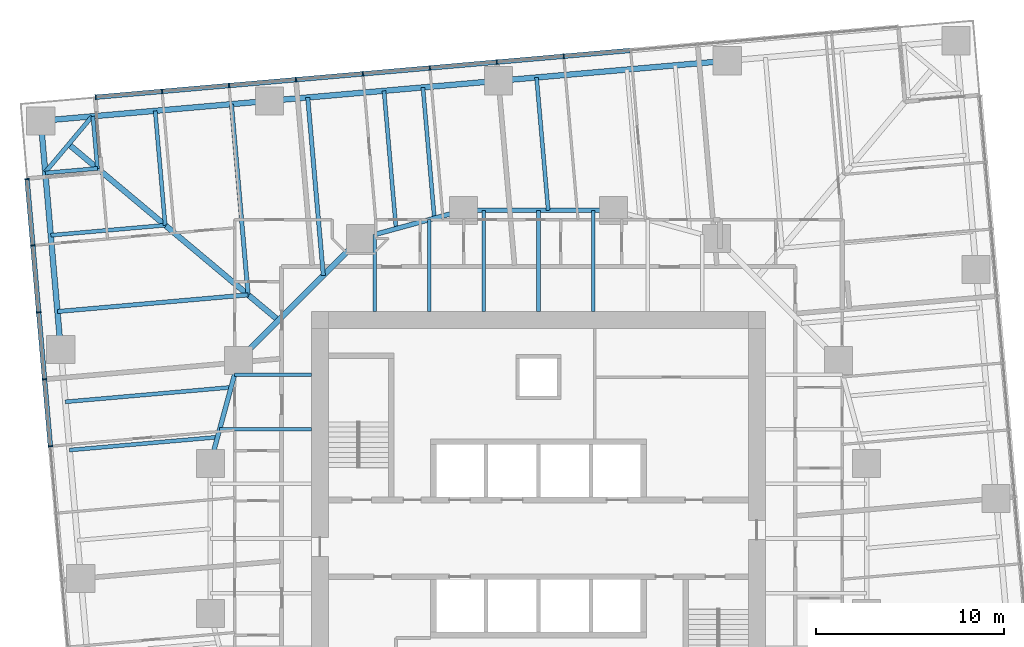
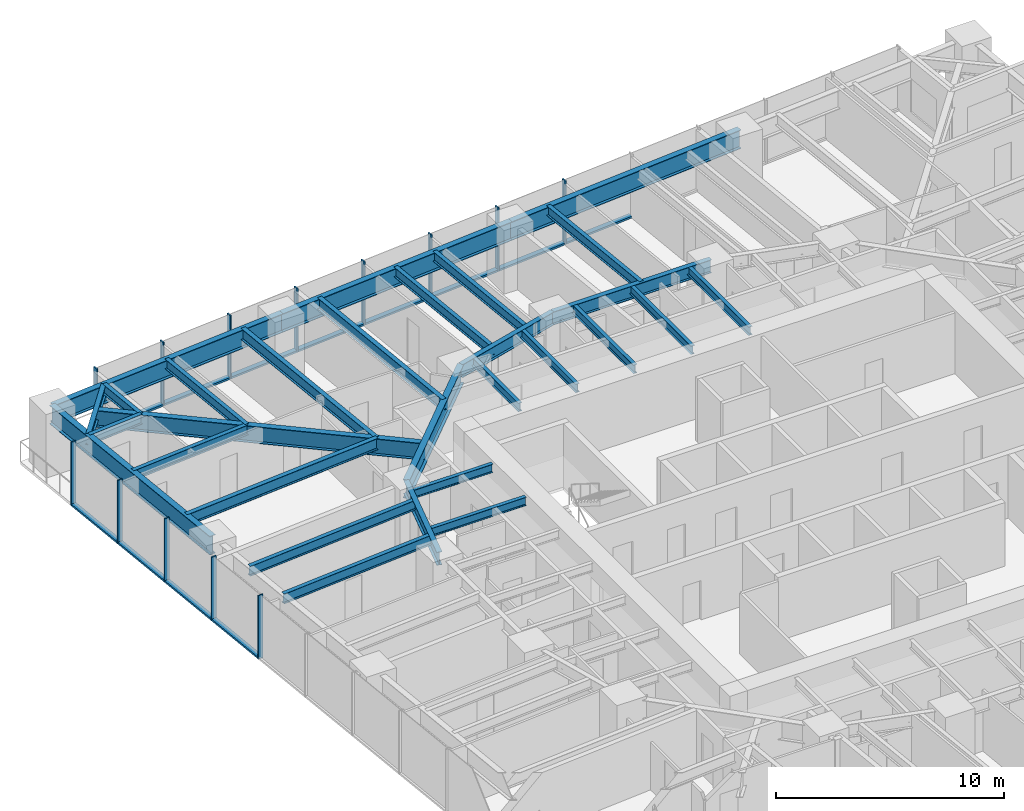
# One storey, part 5 of 14: 29 beams, 25 members, 2 elements without a shape of their own.
"""IFC4 building model written with IfcOpenShell, lengths in metres."""

from ifc_helpers import new_model, si_unit, direction, frame, origin, origin_2d, place, context, subcontext, project, spatial, rectangle, i_section, extrude, material, material_profile, profile_set, type_object, element, aggregate, save


model = new_model("IFC4")

# Units and contexts
model_context = context("Model", 3, precision=1e-05, world=origin(), true_north=direction((0.0, 1.0)))
body_context = subcontext(model_context, "Body", "Model", "MODEL_VIEW")
ifc_project = project(units=[si_unit("LENGTHUNIT", "METRE"), si_unit("AREAUNIT", "SQUARE_METRE"), si_unit("VOLUMEUNIT", "CUBIC_METRE"), si_unit("PLANEANGLEUNIT", "RADIAN"), si_unit("MASSUNIT", "GRAM", prefix="KILO")], contexts=[model_context])

# Site, building, storey
site_placement = place(None, origin())
site = spatial("IfcSite", under=ifc_project, at=site_placement, CompositionType="ELEMENT")
building_placement = place(site_placement, origin())
building = spatial("IfcBuilding", under=site, at=building_placement, Name="Torsade Residences", CompositionType="ELEMENT")
storey_placement = place(building_placement, frame((0.0, 0.0, 64.199951171875)))
storey = spatial("IfcBuildingStorey", under=building, at=storey_placement, Name="L17", CompositionType="ELEMENT", Elevation=64.199951171875)

# Beams
ifc_material_1 = material(Name="Steel grade 300", Category="steel")
ifc_material_profile_1 = material_profile(ifc_material_1, i_section(OverallWidth=0.300048828125, OverallDepth=0.89990234375, WebThickness=0.011962890625, FlangeThickness=0.02490234375, at=origin_2d()), Name="900WB175")
ifc_profile_set_1 = profile_set([ifc_material_profile_1], Name="Steel grade 300")
beam_type_1 = type_object("IfcBeamType", Name="CORNER GIRDER 900WB175", PredefinedType="BEAM", material=ifc_profile_set_1)
beam_1_placement = place(storey_placement, frame((14.947509765625, 51.021484375, 2.800048828125), z_axis=(0.766046281307, -0.642785419012, 0.0), x_axis=(0.642785419012, 0.766046281307, 0.0)))
element("IfcBeam", 1, at=beam_1_placement, inside=storey, type_object=beam_type_1, Name="Corner girder 13 L18", PredefinedType="BEAM", context=body_context, shape_type="SweptSolid", body=[
    extrude(i_section(OverallWidth=0.300048828125, OverallDepth=0.89990234375, WebThickness=0.011962890625, FlangeThickness=0.02490234375, at=origin_2d()), origin(), (0.0, 0.0, 1.0), 14.603515625),
])
ifc_material_2 = material(Name="Steel grade 300", Category="steel")
ifc_material_profile_2 = material_profile(ifc_material_2, i_section(OverallWidth=0.22802734375, OverallDepth=0.60205078125, WebThickness=0.010498046875, FlangeThickness=0.014892578125, FilletRadius=0.013916015625, at=origin_2d()), Name="610UB101")
ifc_profile_set_2 = profile_set([ifc_material_profile_2], Name="Steel grade 300")
beam_type_2 = type_object("IfcBeamType", Name="CORNER TRIMMER 610UB101", PredefinedType="BEAM", material=ifc_profile_set_2)
beam_2_placement = place(storey_placement, frame((13.697509765625, 49.531982421875, 2.948974609375), z_axis=(0.642804819911, 0.766030001697, 0.0), x_axis=(-0.766030001697, 0.642804819911, 0.0)))
element("IfcBeam", 2, at=beam_2_placement, inside=storey, type_object=beam_type_2, Name="Corner trimmer 13 L18", PredefinedType="BEAM", context=body_context, shape_type="SweptSolid", body=[
    extrude(i_section(OverallWidth=0.22802734375, OverallDepth=0.60205078125, WebThickness=0.010498046875, FlangeThickness=0.014892578125, FilletRadius=0.013916015625, at=origin_2d()), origin(), (0.0, 0.0, 1.0), 3.88916015625),
])

# Curtain wall, members
ifc_material_3 = material(Name="Aluminium and glass", Category="aluminium")
curtain_wall_type = type_object("IfcCurtainWallType", Name="FRITTED GLASS CURTAIN WALL LOW ZONE", PredefinedType="NOTDEFINED", material=ifc_material_3)
curtain_wall_1_placement = place(storey_placement, origin())
curtain_wall_1 = element("IfcCurtainWall", 3, at=curtain_wall_1_placement, inside=storey, type_object=curtain_wall_type, Name="Curtain wall L17 face 7", PredefinedType="NOTDEFINED")
ifc_material_4 = material(Name="Aluminium mullion", Category="aluminium")
ifc_material_profile_3 = material_profile(ifc_material_4, rectangle(XDim=0.25, YDim=0.06494140625, at=origin_2d()), Name="CURTAIN WALL MULLION 250x65")
ifc_profile_set_3 = profile_set([ifc_material_profile_3], Name="Aluminium mullion")
member_type_1 = type_object("IfcMemberType", Name="CURTAIN WALL MULLION 250x65", PredefinedType="MULLION", material=ifc_profile_set_3)
member_1_placement = place(storey_placement, frame((41.34716796875, 55.71533203125, 0.0), z_axis=(0.0, 0.0, 1.0), x_axis=(0.087155744208, -0.996194697964, 0.0)))
member_1 = element("IfcMember", 4, at=member_1_placement, type_object=member_type_1, Name="Mullion 6", PredefinedType="MULLION", context=body_context, shape_type="SweptSolid", body=[
    extrude(rectangle(XDim=0.25, YDim=0.06494140625, at=origin_2d()), origin(), (0.0, 0.0, 1.0), 3.400146484375),
])
member_2_placement = place(storey_placement, frame((37.777587890625, 55.403076171875, 0.0), z_axis=(0.0, 0.0, 1.0), x_axis=(0.087155744208, -0.996194697964, 0.0)))
member_2 = element("IfcMember", 5, at=member_2_placement, type_object=member_type_1, Name="Mullion 7", PredefinedType="MULLION", context=body_context, shape_type="SweptSolid", body=[
    extrude(rectangle(XDim=0.25, YDim=0.06494140625, at=origin_2d()), origin(), (0.0, 0.0, 1.0), 3.400146484375),
])
member_3_placement = place(storey_placement, frame((34.207763671875, 55.090576171875, 0.0), z_axis=(0.0, 0.0, 1.0), x_axis=(0.087155744208, -0.996194697964, 0.0)))
member_3 = element("IfcMember", 6, at=member_3_placement, type_object=member_type_1, Name="Mullion 8", PredefinedType="MULLION", context=body_context, shape_type="SweptSolid", body=[
    extrude(rectangle(XDim=0.25, YDim=0.06494140625, at=origin_2d()), origin(), (0.0, 0.0, 1.0), 3.400146484375),
])
member_4_placement = place(storey_placement, frame((30.63818359375, 54.7783203125, 0.0), z_axis=(0.0, 0.0, 1.0), x_axis=(0.087155744208, -0.996194697964, 0.0)))
member_4 = element("IfcMember", 7, at=member_4_placement, type_object=member_type_1, Name="Mullion 9", PredefinedType="MULLION", context=body_context, shape_type="SweptSolid", body=[
    extrude(rectangle(XDim=0.25, YDim=0.06494140625, at=origin_2d()), origin(), (0.0, 0.0, 1.0), 3.400146484375),
])
member_5_placement = place(storey_placement, frame((27.068359375, 54.466064453125, 0.0), z_axis=(0.0, 0.0, 1.0), x_axis=(0.087155744208, -0.996194697964, 0.0)))
member_5 = element("IfcMember", 8, at=member_5_placement, type_object=member_type_1, Name="Mullion 10", PredefinedType="MULLION", context=body_context, shape_type="SweptSolid", body=[
    extrude(rectangle(XDim=0.25, YDim=0.06494140625, at=origin_2d()), origin(), (0.0, 0.0, 1.0), 3.400146484375),
])
member_6_placement = place(storey_placement, frame((23.498779296875, 54.15380859375, 0.0), z_axis=(0.0, 0.0, 1.0), x_axis=(0.087155744208, -0.996194697964, 0.0)))
member_6 = element("IfcMember", 9, at=member_6_placement, type_object=member_type_1, Name="Mullion 11", PredefinedType="MULLION", context=body_context, shape_type="SweptSolid", body=[
    extrude(rectangle(XDim=0.25, YDim=0.06494140625, at=origin_2d()), origin(), (0.0, 0.0, 1.0), 3.400146484375),
])
member_7_placement = place(storey_placement, frame((19.928955078125, 53.84130859375, 0.0), z_axis=(0.0, 0.0, 1.0), x_axis=(0.087155744208, -0.996194697964, 0.0)))
member_7 = element("IfcMember", 10, at=member_7_placement, type_object=member_type_1, Name="Mullion 12", PredefinedType="MULLION", context=body_context, shape_type="SweptSolid", body=[
    extrude(rectangle(XDim=0.25, YDim=0.06494140625, at=origin_2d()), origin(), (0.0, 0.0, 1.0), 3.400146484375),
])
member_8_placement = place(storey_placement, frame((16.3916015625, 53.531982421875, 0.0), z_axis=(0.0, 0.0, 1.0), x_axis=(0.087155744208, -0.996194697964, 0.0)))
member_8 = element("IfcMember", 11, at=member_8_placement, type_object=member_type_1, Name="Mullion 13", PredefinedType="MULLION", context=body_context, shape_type="SweptSolid", body=[
    extrude(rectangle(XDim=0.25, YDim=0.06494140625, at=origin_2d()), origin(), (0.0, 0.0, 1.0), 3.400146484375),
])

curtain_wall_2_placement = place(storey_placement, origin())
curtain_wall_2 = element("IfcCurtainWall", 12, at=curtain_wall_2_placement, inside=storey, type_object=curtain_wall_type, Name="Curtain wall L17 face 10", PredefinedType="NOTDEFINED")
member_9_placement = place(storey_placement, frame((12.72607421875, 49.163330078125, 0.0), z_axis=(0.0, 0.0, 1.0), x_axis=(0.996194697964, 0.087155744208, 0.0)))
member_9 = element("IfcMember", 13, at=member_9_placement, type_object=member_type_1, Name="Mullion 1", PredefinedType="MULLION", context=body_context, shape_type="SweptSolid", body=[
    extrude(rectangle(XDim=0.25, YDim=0.06494140625, at=origin_2d()), origin(), (0.0, 0.0, 1.0), 3.400146484375),
])
member_10_placement = place(storey_placement, frame((13.035400390625, 45.6259765625, 0.0), z_axis=(0.0, 0.0, 1.0), x_axis=(0.996194697964, 0.087155744208, 0.0)))
member_10 = element("IfcMember", 14, at=member_10_placement, type_object=member_type_1, Name="Mullion 2", PredefinedType="MULLION", context=body_context, shape_type="SweptSolid", body=[
    extrude(rectangle(XDim=0.25, YDim=0.06494140625, at=origin_2d()), origin(), (0.0, 0.0, 1.0), 3.400146484375),
])
member_11_placement = place(storey_placement, frame((13.347900390625, 42.056396484375, 0.0), z_axis=(0.0, 0.0, 1.0), x_axis=(0.996194697964, 0.087155744208, 0.0)))
member_11 = element("IfcMember", 15, at=member_11_placement, type_object=member_type_1, Name="Mullion 3", PredefinedType="MULLION", context=body_context, shape_type="SweptSolid", body=[
    extrude(rectangle(XDim=0.25, YDim=0.06494140625, at=origin_2d()), origin(), (0.0, 0.0, 1.0), 3.400146484375),
])
member_12_placement = place(storey_placement, frame((13.66015625, 38.486572265625, 0.0), z_axis=(0.0, 0.0, 1.0), x_axis=(0.996194697964, 0.087155744208, 0.0)))
member_12 = element("IfcMember", 16, at=member_12_placement, type_object=member_type_1, Name="Mullion 4", PredefinedType="MULLION", context=body_context, shape_type="SweptSolid", body=[
    extrude(rectangle(XDim=0.25, YDim=0.06494140625, at=origin_2d()), origin(), (0.0, 0.0, 1.0), 3.400146484375),
])
member_13_placement = place(storey_placement, frame((13.972412109375, 34.9169921875, 0.0), z_axis=(0.0, 0.0, 1.0), x_axis=(0.996194697964, 0.087155744208, 0.0)))
member_13 = element("IfcMember", 17, at=member_13_placement, type_object=member_type_1, Name="Mullion 5", PredefinedType="MULLION", context=body_context, shape_type="SweptSolid", body=[
    extrude(rectangle(XDim=0.25, YDim=0.06494140625, at=origin_2d()), origin(), (0.0, 0.0, 1.0), 3.400146484375),
])

# Member
ifc_material_5 = material(Name="Aluminium transom", Category="aluminium")
ifc_material_profile_4 = material_profile(ifc_material_5, rectangle(XDim=0.25, YDim=0.10009765625, at=origin_2d()), Name="CURTAIN WALL TRANSOM 250x100")
ifc_profile_set_4 = profile_set([ifc_material_profile_4], Name="Aluminium transom")
member_type_2 = type_object("IfcMemberType", Name="CURTAIN WALL TRANSOM 250x100", PredefinedType="USERDEFINED", material=ifc_profile_set_4)
member_14_placement = place(storey_placement, frame((44.884521484375, 56.024658203125, 0.050048828125), z_axis=(-0.996194621295, -0.087156620531, 0.0), x_axis=(0.087156620531, -0.996194621295, 0.0)))
member_14 = element("IfcMember", 18, at=member_14_placement, type_object=member_type_2, Name="Transom 5.1", ObjectType="TRANSOM", PredefinedType="USERDEFINED", context=body_context, shape_type="SweptSolid", body=[
    extrude(rectangle(XDim=0.25, YDim=0.10009765625, at=origin_2d()), origin(), (0.0, 0.0, 1.0), 3.518310546875),
])

member_15_placement = place(storey_placement, frame((41.31494140625, 55.71240234375, 0.050048828125), z_axis=(-0.996195148363, -0.08715059597, 0.0), x_axis=(0.08715059597, -0.996195148363, 0.0)))
member_15 = element("IfcMember", 19, at=member_15_placement, type_object=member_type_2, Name="Transom 6.1", ObjectType="TRANSOM", PredefinedType="USERDEFINED", context=body_context, shape_type="SweptSolid", body=[
    extrude(rectangle(XDim=0.25, YDim=0.10009765625, at=origin_2d()), origin(), (0.0, 0.0, 1.0), 3.5185546875),
])

member_16_placement = place(storey_placement, frame((37.7451171875, 55.400146484375, 0.050048828125), z_axis=(-0.996194621295, -0.087156620531, 0.0), x_axis=(0.087156620531, -0.996194621295, 0.0)))
member_16 = element("IfcMember", 20, at=member_16_placement, type_object=member_type_2, Name="Transom 7.1", ObjectType="TRANSOM", PredefinedType="USERDEFINED", context=body_context, shape_type="SweptSolid", body=[
    extrude(rectangle(XDim=0.25, YDim=0.10009765625, at=origin_2d()), origin(), (0.0, 0.0, 1.0), 3.518310546875),
])

member_17_placement = place(storey_placement, frame((34.175537109375, 55.087890625, 0.050048828125), z_axis=(-0.996195148363, -0.08715059597, 0.0), x_axis=(0.08715059597, -0.996195148363, 0.0)))
member_17 = element("IfcMember", 21, at=member_17_placement, type_object=member_type_2, Name="Transom 8.1", ObjectType="TRANSOM", PredefinedType="USERDEFINED", context=body_context, shape_type="SweptSolid", body=[
    extrude(rectangle(XDim=0.25, YDim=0.10009765625, at=origin_2d()), origin(), (0.0, 0.0, 1.0), 3.5185546875),
])

member_18_placement = place(storey_placement, frame((30.605712890625, 54.775634765625, 0.050048828125), z_axis=(-0.996194621295, -0.087156620531, 0.0), x_axis=(0.087156620531, -0.996194621295, 0.0)))
member_18 = element("IfcMember", 22, at=member_18_placement, type_object=member_type_2, Name="Transom 9.1", ObjectType="TRANSOM", PredefinedType="USERDEFINED", context=body_context, shape_type="SweptSolid", body=[
    extrude(rectangle(XDim=0.25, YDim=0.10009765625, at=origin_2d()), origin(), (0.0, 0.0, 1.0), 3.518310546875),
])

member_19_placement = place(storey_placement, frame((27.0361328125, 54.463134765625, 0.050048828125), z_axis=(-0.996195148363, -0.08715059597, 0.0), x_axis=(0.08715059597, -0.996195148363, 0.0)))
member_19 = element("IfcMember", 23, at=member_19_placement, type_object=member_type_2, Name="Transom 10.1", ObjectType="TRANSOM", PredefinedType="USERDEFINED", context=body_context, shape_type="SweptSolid", body=[
    extrude(rectangle(XDim=0.25, YDim=0.10009765625, at=origin_2d()), origin(), (0.0, 0.0, 1.0), 3.5185546875),
])

member_20_placement = place(storey_placement, frame((23.46630859375, 54.15087890625, 0.050048828125), z_axis=(-0.996194621295, -0.087156620531, 0.0), x_axis=(0.087156620531, -0.996194621295, 0.0)))
member_20 = element("IfcMember", 24, at=member_20_placement, type_object=member_type_2, Name="Transom 11.1", ObjectType="TRANSOM", PredefinedType="USERDEFINED", context=body_context, shape_type="SweptSolid", body=[
    extrude(rectangle(XDim=0.25, YDim=0.10009765625, at=origin_2d()), origin(), (0.0, 0.0, 1.0), 3.518310546875),
])

member_21_placement = place(storey_placement, frame((19.896728515625, 53.838623046875, 0.050048828125), z_axis=(-0.996191284475, -0.08719475177, 0.0), x_axis=(0.08719475177, -0.996191284475, 0.0)))
member_21 = element("IfcMember", 25, at=member_21_placement, type_object=member_type_2, Name="Transom 12.1", ObjectType="TRANSOM", PredefinedType="USERDEFINED", context=body_context, shape_type="SweptSolid", body=[
    extrude(rectangle(XDim=0.25, YDim=0.10009765625, at=origin_2d()), origin(), (0.0, 0.0, 1.0), 3.48583984375),
])

aggregate(curtain_wall_1, [member_1, member_2, member_3, member_4, member_5, member_6, member_7, member_8, member_14, member_15, member_16, member_17, member_18, member_19, member_20, member_21])

member_22_placement = place(storey_placement, frame((12.728759765625, 49.130859375, 0.050048828125), z_axis=(0.0872008357, -0.996190751941, 0.0), x_axis=(0.996190751941, 0.0872008357, 0.0)))
member_22 = element("IfcMember", 26, at=member_22_placement, type_object=member_type_2, Name="Transom 1.1", ObjectType="TRANSOM", PredefinedType="USERDEFINED", context=body_context, shape_type="SweptSolid", body=[
    extrude(rectangle(XDim=0.25, YDim=0.10009765625, at=origin_2d()), origin(), (0.0, 0.0, 1.0), 3.485595703125),
])

member_23_placement = place(storey_placement, frame((13.038330078125, 45.59375, 0.050048828125), z_axis=(0.08715059597, -0.996195148363, 0.0), x_axis=(0.996195148363, 0.08715059597, 0.0)))
member_23 = element("IfcMember", 27, at=member_23_placement, type_object=member_type_2, Name="Transom 2.1", ObjectType="TRANSOM", PredefinedType="USERDEFINED", context=body_context, shape_type="SweptSolid", body=[
    extrude(rectangle(XDim=0.25, YDim=0.10009765625, at=origin_2d()), origin(), (0.0, 0.0, 1.0), 3.5185546875),
])

member_24_placement = place(storey_placement, frame((13.3505859375, 42.02392578125, 0.050048828125), z_axis=(0.087156620531, -0.996194621295, 0.0), x_axis=(0.996194621295, 0.087156620531, 0.0)))
member_24 = element("IfcMember", 28, at=member_24_placement, type_object=member_type_2, Name="Transom 3.1", ObjectType="TRANSOM", PredefinedType="USERDEFINED", context=body_context, shape_type="SweptSolid", body=[
    extrude(rectangle(XDim=0.25, YDim=0.10009765625, at=origin_2d()), origin(), (0.0, 0.0, 1.0), 3.518310546875),
])

member_25_placement = place(storey_placement, frame((13.662841796875, 38.454345703125, 0.050048828125), z_axis=(0.08715059597, -0.996195148363, 0.0), x_axis=(0.996195148363, 0.08715059597, 0.0)))
member_25 = element("IfcMember", 29, at=member_25_placement, type_object=member_type_2, Name="Transom 4.1", ObjectType="TRANSOM", PredefinedType="USERDEFINED", context=body_context, shape_type="SweptSolid", body=[
    extrude(rectangle(XDim=0.25, YDim=0.10009765625, at=origin_2d()), origin(), (0.0, 0.0, 1.0), 3.5185546875),
])

aggregate(curtain_wall_2, [member_9, member_10, member_11, member_12, member_13, member_22, member_23, member_24, member_25])

# Beams
ifc_material_6 = material(Name="Steel grade 300", Category="steel")
ifc_material_profile_5 = material_profile(ifc_material_6, i_section(OverallWidth=0.300048828125, OverallDepth=1.0, WebThickness=0.01611328125, FlangeThickness=0.028076171875, at=origin_2d()), Name="1000WB215")
ifc_profile_set_5 = profile_set([ifc_material_profile_5], Name="Steel grade 300")
beam_type_3 = type_object("IfcBeamType", Name="EDGE BEAM 1000WB215", PredefinedType="SPANDREL", material=ifc_profile_set_5)
for number, where, z_axis, x_axis, name in (
    (30, (50.068115234375, 55.474365234375, 2.75), (-0.996194907201, -0.08715335259, 0.0), (0.08715335259, -0.996194907201, 0.0), "Edge beam 10 L18"),
    (31, (37.86474609375, 54.40673828125, 2.75), (-0.996194907201, -0.08715335259, 0.0), (0.08715335259, -0.996194907201, 0.0), "Edge beam 11 L18"),
    (32, (25.661376953125, 53.339111328125, 2.75), (-0.996194907201, -0.08715335259, 0.0), (0.08715335259, -0.996194907201, 0.0), "Edge beam 12 L18"),
    (33, (13.4580078125, 52.271484375, 2.75), (0.08715335259, -0.996194907201, 0.0), (0.996194907201, 0.08715335259, 0.0), "Edge beam 13 L18"),
):
    element("IfcBeam", number, at=place(storey_placement, frame(where, z_axis=z_axis, x_axis=x_axis)), inside=storey, type_object=beam_type_3, Name=name, PredefinedType="SPANDREL", context=body_context, shape_type="SweptSolid", body=[
        extrude(i_section(OverallWidth=0.300048828125, OverallDepth=1.0, WebThickness=0.01611328125, FlangeThickness=0.028076171875, at=origin_2d()), origin(), (0.0, 0.0, 1.0), 12.25),
    ])
ifc_material_7 = material(Name="Steel grade 300", Category="steel")
ifc_material_profile_6 = material_profile(ifc_material_7, i_section(OverallWidth=0.18994140625, OverallDepth=0.4541015625, WebThickness=0.008544921875, FlangeThickness=0.0126953125, FilletRadius=0.011474609375, at=origin_2d()), Name="460UB67.1")
ifc_profile_set_6 = profile_set([ifc_material_profile_6], Name="Steel grade 300")
beam_type_4 = type_object("IfcBeamType", Name="INNER FLOOR BEAM 460UB67.1", PredefinedType="JOIST", material=ifc_profile_set_6)
beam_3_placement = place(storey_placement, frame((31.262451171875, 42.10009765625, 3.02294921875), z_axis=(0.0, 1.0, 0.0), x_axis=(-1.0, 0.0, 0.0)))
element("IfcBeam", 34, at=beam_3_placement, inside=storey, type_object=beam_type_4, Name="Inner floor beam IN01 L18", PredefinedType="JOIST", context=body_context, shape_type="SweptSolid", body=[
    extrude(i_section(OverallWidth=0.18994140625, OverallDepth=0.4541015625, WebThickness=0.008544921875, FlangeThickness=0.0126953125, FilletRadius=0.011474609375, at=origin_2d()), origin(), (0.0, 0.0, 1.0), 4.10791015625),
])
beam_4_placement = place(storey_placement, frame((34.175048828125, 42.10009765625, 3.02294921875), z_axis=(0.0, 1.0, 0.0), x_axis=(-1.0, 0.0, 0.0)))
element("IfcBeam", 35, at=beam_4_placement, inside=storey, type_object=beam_type_4, Name="Inner floor beam IN02 L18", PredefinedType="JOIST", context=body_context, shape_type="SweptSolid", body=[
    extrude(i_section(OverallWidth=0.18994140625, OverallDepth=0.4541015625, WebThickness=0.008544921875, FlangeThickness=0.0126953125, FilletRadius=0.011474609375, at=origin_2d()), origin(), (0.0, 0.0, 1.0), 4.902099609375),
])
for number, where, z_axis, x_axis, name in (
    (36, (37.08740234375, 42.10009765625, 3.02294921875), (0.0, 1.0, 0.0), (-1.0, 0.0, 0.0), "Inner floor beam IN03 L18"),
    (37, (40.0, 42.10009765625, 3.02294921875), (0.0, 1.0, 0.0), (-1.0, 0.0, 0.0), "Inner floor beam IN04 L18"),
    (38, (42.91259765625, 42.10009765625, 3.02294921875), (0.0, 1.0, 0.0), (-1.0, 0.0, 0.0), "Inner floor beam IN05 L18"),
):
    element("IfcBeam", number, at=place(storey_placement, frame(where, z_axis=z_axis, x_axis=x_axis)), inside=storey, type_object=beam_type_4, Name=name, PredefinedType="JOIST", context=body_context, shape_type="SweptSolid", body=[
        extrude(i_section(OverallWidth=0.18994140625, OverallDepth=0.4541015625, WebThickness=0.008544921875, FlangeThickness=0.0126953125, FilletRadius=0.011474609375, at=origin_2d()), origin(), (0.0, 0.0, 1.0), 5.39990234375),
    ])
beam_5_placement = place(storey_placement, frame((27.89990234375, 38.737548828125, 3.02294921875), z_axis=(-1.0, 0.0, 0.0), x_axis=(0.0, -1.0, 0.0)))
element("IfcBeam", 39, at=beam_5_placement, inside=storey, type_object=beam_type_4, Name="Inner floor beam IW01 L18", PredefinedType="JOIST", context=body_context, shape_type="SweptSolid", body=[
    extrude(i_section(OverallWidth=0.18994140625, OverallDepth=0.4541015625, WebThickness=0.008544921875, FlangeThickness=0.0126953125, FilletRadius=0.011474609375, at=origin_2d()), origin(), (0.0, 0.0, 1.0), 4.10791015625),
])
beam_6_placement = place(storey_placement, frame((27.89990234375, 35.824951171875, 3.02294921875), z_axis=(-1.0, 0.0, 0.0), x_axis=(0.0, -1.0, 0.0)))
element("IfcBeam", 40, at=beam_6_placement, inside=storey, type_object=beam_type_4, Name="Inner floor beam IW02 L18", PredefinedType="JOIST", context=body_context, shape_type="SweptSolid", body=[
    extrude(i_section(OverallWidth=0.18994140625, OverallDepth=0.4541015625, WebThickness=0.008544921875, FlangeThickness=0.0126953125, FilletRadius=0.011474609375, at=origin_2d()), origin(), (0.0, 0.0, 1.0), 4.902099609375),
])
ifc_material_8 = material(Name="Steel grade 300", Category="steel")
ifc_material_profile_7 = material_profile(ifc_material_8, i_section(OverallWidth=0.300048828125, OverallDepth=1.0, WebThickness=0.01611328125, FlangeThickness=0.028076171875, at=origin_2d()), Name="1000WB215")
ifc_profile_set_7 = profile_set([ifc_material_profile_7], Name="Steel grade 300")
beam_type_5 = type_object("IfcBeamType", Name="RING CORNER GIRDER 1000WB215", PredefinedType="BEAM", material=ifc_profile_set_7)
beam_7_placement = place(storey_placement, frame((30.5, 46.0, 2.75), z_axis=(-0.707106781187, -0.707106781187, 0.0), x_axis=(0.707106781187, -0.707106781187, 0.0)))
element("IfcBeam", 41, at=beam_7_placement, inside=storey, type_object=beam_type_5, Name="Ring girder IR07 L18", PredefinedType="BEAM", context=body_context, shape_type="SweptSolid", body=[
    extrude(i_section(OverallWidth=0.300048828125, OverallDepth=1.0, WebThickness=0.01611328125, FlangeThickness=0.028076171875, at=origin_2d()), origin(), (0.0, 0.0, 1.0), 9.1923828125),
])
ifc_material_9 = material(Name="Steel grade 300", Category="steel")
ifc_material_profile_8 = material_profile(ifc_material_9, i_section(OverallWidth=0.25, OverallDepth=0.699951171875, WebThickness=0.010009765625, FlangeThickness=0.02001953125, at=origin_2d()), Name="700WB130")
ifc_profile_set_8 = profile_set([ifc_material_profile_8], Name="Steel grade 300")
beam_type_6 = type_object("IfcBeamType", Name="RING GIRDER 700WB130", PredefinedType="BEAM", material=ifc_profile_set_8)
beam_8_placement = place(storey_placement, frame((44.0, 47.5, 2.900146484375), z_axis=(-1.0, 0.0, 0.0), x_axis=(0.0, -1.0, 0.0)))
element("IfcBeam", 42, at=beam_8_placement, inside=storey, type_object=beam_type_6, Name="Ring girder IR05 L18", PredefinedType="BEAM", context=body_context, shape_type="SweptSolid", body=[
    extrude(i_section(OverallWidth=0.25, OverallDepth=0.699951171875, WebThickness=0.010009765625, FlangeThickness=0.02001953125, at=origin_2d()), origin(), (0.0, 0.0, 1.0), 8.0),
])
for number, where, z_axis, x_axis, name in (
    (43, (36.0, 47.5, 2.900146484375), (-0.964763821238, -0.263117405792, 0.0), (0.263117405792, -0.964763821238, 0.0), "Ring girder IR06 L18"),
    (44, (24.0, 39.5, 2.900146484375), (-0.263117405792, -0.964763821238, 0.0), (0.964763821238, -0.263117405792, 0.0), "Ring girder IR08 L18"),
):
    element("IfcBeam", number, at=place(storey_placement, frame(where, z_axis=z_axis, x_axis=x_axis)), inside=storey, type_object=beam_type_6, Name=name, PredefinedType="BEAM", context=body_context, shape_type="SweptSolid", body=[
        extrude(i_section(OverallWidth=0.25, OverallDepth=0.699951171875, WebThickness=0.010009765625, FlangeThickness=0.02001953125, at=origin_2d()), origin(), (0.0, 0.0, 1.0), 5.700927734375),
    ])
ifc_material_10 = material(Name="Steel grade 300", Category="steel")
ifc_material_profile_9 = material_profile(ifc_material_10, i_section(OverallWidth=0.208984375, OverallDepth=0.528076171875, WebThickness=0.009521484375, FlangeThickness=0.01318359375, FilletRadius=0.013916015625, at=origin_2d()), Name="530UB82.0")
ifc_profile_set_9 = profile_set([ifc_material_profile_9], Name="Steel grade 300")
beam_type_7 = type_object("IfcBeamType", Name="SECONDARY BEAM 530UB82.0", PredefinedType="JOIST", material=ifc_profile_set_9)
beam_9_placement = place(storey_placement, frame((39.898681640625, 54.584716796875, 2.986083984375), z_axis=(0.087127345813, -0.996197182094, 0.0), x_axis=(0.996197182094, 0.087127345813, 0.0)))
element("IfcBeam", 45, at=beam_9_placement, inside=storey, type_object=beam_type_7, Name="Floor beam FN06 L18", PredefinedType="JOIST", context=body_context, shape_type="SweptSolid", body=[
    extrude(i_section(OverallWidth=0.208984375, OverallDepth=0.528076171875, WebThickness=0.009521484375, FlangeThickness=0.01318359375, FilletRadius=0.013916015625, at=origin_2d()), origin(), (0.0, 0.0, 1.0), 7.11181640625),
])
beam_10_placement = place(storey_placement, frame((33.83837890625, 54.054443359375, 2.986083984375), z_axis=(0.087175598142, -0.99619296077, 0.0), x_axis=(0.99619296077, 0.087175598142, 0.0)))
element("IfcBeam", 46, at=beam_10_placement, inside=storey, type_object=beam_type_7, Name="Floor beam FN07 L18", PredefinedType="JOIST", context=body_context, shape_type="SweptSolid", body=[
    extrude(i_section(OverallWidth=0.208984375, OverallDepth=0.528076171875, WebThickness=0.009521484375, FlangeThickness=0.01318359375, FilletRadius=0.013916015625, at=origin_2d()), origin(), (0.0, 0.0, 1.0), 7.004150390625),
])
beam_11_placement = place(storey_placement, frame((31.762939453125, 53.873046875, 2.986083984375), z_axis=(0.087156282128, -0.996194650902, 0.0), x_axis=(0.996194650902, 0.087156282128, 0.0)))
element("IfcBeam", 47, at=beam_11_placement, inside=storey, type_object=beam_type_7, Name="Floor beam FN08 L18", PredefinedType="JOIST", context=body_context, shape_type="SweptSolid", body=[
    extrude(i_section(OverallWidth=0.208984375, OverallDepth=0.528076171875, WebThickness=0.009521484375, FlangeThickness=0.01318359375, FilletRadius=0.013916015625, at=origin_2d()), origin(), (0.0, 0.0, 1.0), 7.381103515625),
])
beam_12_placement = place(storey_placement, frame((19.5595703125, 52.80517578125, 2.986083984375), z_axis=(0.087174861801, -0.996193025206, 0.0), x_axis=(0.996193025206, 0.087174861801, 0.0)))
element("IfcBeam", 48, at=beam_12_placement, inside=storey, type_object=beam_type_7, Name="Floor beam FN11 L18", PredefinedType="JOIST", context=body_context, shape_type="SweptSolid", body=[
    extrude(i_section(OverallWidth=0.208984375, OverallDepth=0.528076171875, WebThickness=0.009521484375, FlangeThickness=0.01318359375, FilletRadius=0.013916015625, at=origin_2d()), origin(), (0.0, 0.0, 1.0), 6.125),
])
for number, where, z_axis, x_axis, name in (
    (49, (16.239013671875, 52.5146484375, 2.986083984375), (0.087105111923, -0.996199126418, 0.0), (0.996199126418, 0.087105111923, 0.0), "Floor beam FN12 L18"),
    (50, (13.701171875, 49.490478515625, 2.986083984375), (0.996199126418, 0.087105111923, 0.0), (-0.087105111923, 0.996199126418, 0.0), "Floor beam FW01 L18"),
):
    element("IfcBeam", number, at=place(storey_placement, frame(where, z_axis=z_axis, x_axis=x_axis)), inside=storey, type_object=beam_type_7, Name=name, PredefinedType="JOIST", context=body_context, shape_type="SweptSolid", body=[
        extrude(i_section(OverallWidth=0.208984375, OverallDepth=0.528076171875, WebThickness=0.009521484375, FlangeThickness=0.01318359375, FilletRadius=0.013916015625, at=origin_2d()), origin(), (0.0, 0.0, 1.0), 2.79150390625),
    ])
beam_13_placement = place(storey_placement, frame((13.99169921875, 46.169677734375, 2.986083984375), z_axis=(0.996193328106, 0.087171400335, 0.0), x_axis=(-0.087171400335, 0.996193328106, 0.0)))
element("IfcBeam", 51, at=beam_13_placement, inside=storey, type_object=beam_type_7, Name="Floor beam FW02 L18", PredefinedType="JOIST", context=body_context, shape_type="SweptSolid", body=[
    extrude(i_section(OverallWidth=0.208984375, OverallDepth=0.528076171875, WebThickness=0.009521484375, FlangeThickness=0.01318359375, FilletRadius=0.013916015625, at=origin_2d()), origin(), (0.0, 0.0, 1.0), 6.125244140625),
])
beam_14_placement = place(storey_placement, frame((14.768798828125, 37.287109375, 2.986083984375), z_axis=(0.996195539225, 0.08714612802, 0.0), x_axis=(-0.08714612802, 0.996195539225, 0.0)))
element("IfcBeam", 52, at=beam_14_placement, inside=storey, type_object=beam_type_7, Name="Floor beam FW04 L18", PredefinedType="JOIST", context=body_context, shape_type="SweptSolid", body=[
    extrude(i_section(OverallWidth=0.208984375, OverallDepth=0.528076171875, WebThickness=0.009521484375, FlangeThickness=0.01318359375, FilletRadius=0.013916015625, at=origin_2d()), origin(), (0.0, 0.0, 1.0), 8.872314453125),
])
beam_15_placement = place(storey_placement, frame((14.994140625, 34.713623046875, 2.986083984375), z_axis=(0.996194520605, 0.087157771408, 0.0), x_axis=(-0.087157771408, 0.996194520605, 0.0)))
element("IfcBeam", 53, at=beam_15_placement, inside=storey, type_object=beam_type_7, Name="Floor beam FW05 L18", PredefinedType="JOIST", context=body_context, shape_type="SweptSolid", body=[
    extrude(i_section(OverallWidth=0.208984375, OverallDepth=0.528076171875, WebThickness=0.009521484375, FlangeThickness=0.01318359375, FilletRadius=0.013916015625, at=origin_2d()), origin(), (0.0, 0.0, 1.0), 7.918701171875),
])
ifc_material_11 = material(Name="Steel grade 300", Category="steel")
ifc_material_profile_10 = material_profile(ifc_material_11, i_section(OverallWidth=0.22900390625, OverallDepth=0.612060546875, WebThickness=0.011962890625, FlangeThickness=0.01953125, FilletRadius=0.013916015625, at=origin_2d()), Name="610UB125")
ifc_profile_set_10 = profile_set([ifc_material_profile_10], Name="Steel grade 300")
beam_type_8 = type_object("IfcBeamType", Name="SECONDARY BEAM 610UB125", PredefinedType="JOIST", material=ifc_profile_set_10)
beam_16_placement = place(storey_placement, frame((27.6953125, 53.51708984375, 2.944091796875), z_axis=(0.087148195942, -0.996195358323, 0.0), x_axis=(0.996195358323, 0.087148195942, 0.0)))
element("IfcBeam", 54, at=beam_16_placement, inside=storey, type_object=beam_type_8, Name="Floor beam FN09 L18", PredefinedType="JOIST", context=body_context, shape_type="SweptSolid", body=[
    extrude(i_section(OverallWidth=0.22900390625, OverallDepth=0.612060546875, WebThickness=0.011962890625, FlangeThickness=0.01953125, FilletRadius=0.013916015625, at=origin_2d()), origin(), (0.0, 0.0, 1.0), 9.527587890625),
])
for number, where, z_axis, x_axis, name in (
    (55, (23.62744140625, 53.1611328125, 2.944091796875), (0.087149742944, -0.996195222988, 0.0), (0.996195222988, 0.087149742944, 0.0), "Floor beam FN10 L18"),
    (56, (14.34765625, 42.10205078125, 2.944091796875), (0.996195222988, 0.087149742944, 0.0), (-0.087149742944, 0.996195222988, 0.0), "Floor beam FW03 L18"),
):
    element("IfcBeam", number, at=place(storey_placement, frame(where, z_axis=z_axis, x_axis=x_axis)), inside=storey, type_object=beam_type_8, Name=name, PredefinedType="JOIST", context=body_context, shape_type="SweptSolid", body=[
        extrude(i_section(OverallWidth=0.22900390625, OverallDepth=0.612060546875, WebThickness=0.011962890625, FlangeThickness=0.01953125, FilletRadius=0.013916015625, at=origin_2d()), origin(), (0.0, 0.0, 1.0), 10.208251953125),
    ])

save(model, "model.ifc")
